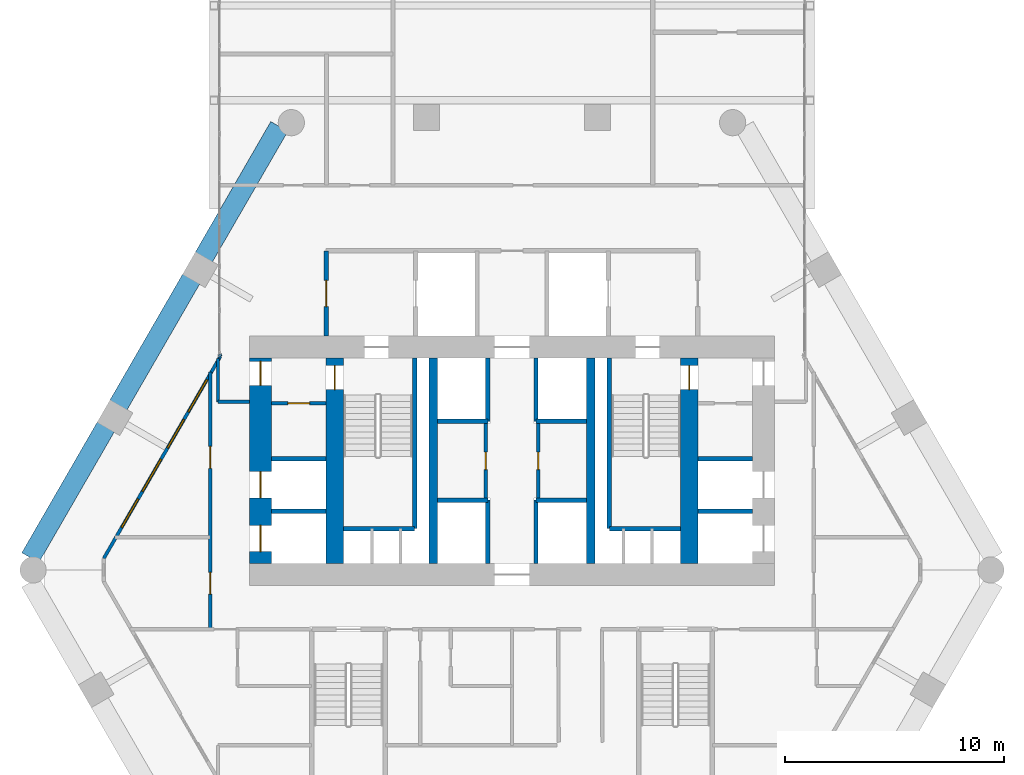
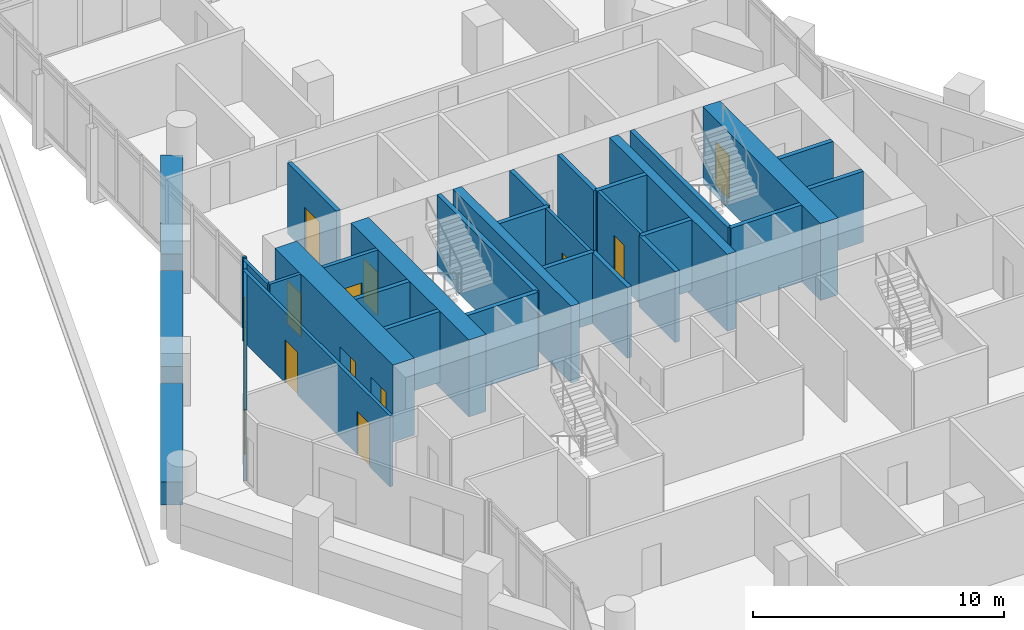
# One storey, part 32 of 37: 33 walls, 11 doors, 4 windows, 15 openings.
"""IFC4 building model written with IfcOpenShell, lengths in metres."""

from ifc_helpers import new_model, si_unit, direction, frame, frame_2d, origin, place, context, subcontext, project, spatial, rectangle, extrude, material, layer, layer_set, type_object, element, fill, save


model = new_model("IFC4")

# Units and contexts
model_context = context("Model", 3, precision=1e-05, world=origin(), true_north=direction((0.0, 1.0)))
body_context = subcontext(model_context, "Body", "Model", "MODEL_VIEW")
ifc_project = project(units=[si_unit("LENGTHUNIT", "METRE"), si_unit("AREAUNIT", "SQUARE_METRE"), si_unit("VOLUMEUNIT", "CUBIC_METRE"), si_unit("PLANEANGLEUNIT", "RADIAN"), si_unit("MASSUNIT", "GRAM", prefix="KILO")], contexts=[model_context])

# Site, building, storey
site_placement = place(None, origin())
site = spatial("IfcSite", under=ifc_project, at=site_placement, CompositionType="ELEMENT")
building_placement = place(site_placement, origin())
building = spatial("IfcBuilding", under=site, at=building_placement, Name="Ostrander Bayou Hotel Tower", CompositionType="ELEMENT")
storey_placement = place(building_placement, frame((0.0, 0.0, 131.0)))
storey = spatial("IfcBuildingStorey", under=building, at=storey_placement, Name="L32", CompositionType="ELEMENT", Elevation=131.0)

# Wall, openings, doors
ifc_material_1 = material(Name="Concrete f'c 70 MPa", Category="concrete")
ifc_layer_1 = layer(ifc_material_1, 1.0)
ifc_layer_set_1 = layer_set([ifc_layer_1], Name="CW4 core wall 1000 mm f'c 70 MPa")
wall_type_1 = type_object("IfcWallType", Name="CW4 core wall 1000 mm f'c 70 MPa", PredefinedType="SHEAR", material=ifc_layer_set_1)
wall_1_placement = place(storey_placement, frame((-11.5, -0.699951171875, -0.300048828125), z_axis=(0.0, 0.0, 1.0), x_axis=(0.0, 1.0, 0.0)))
wall_1 = element("IfcWall", 1, at=wall_1_placement, inside=storey, type_object=wall_type_1, Name="CW4 L32 RW", PredefinedType="SHEAR", context=body_context, shape_type="SweptSolid", body=[
    extrude(rectangle(XDim=9.39990234375, YDim=1.0, at=frame_2d((4.699951171875, 0.0))), origin(), (0.0, 0.0, 1.0), 3.75),
])
opening_1_placement = place(wall_1_placement, frame((8.14990234375, 0.0, 0.0)))
opening_1 = element("IfcOpeningElement", 2, at=opening_1_placement, cuts=wall_1, Name="Opening T32-017", PredefinedType="OPENING", context=body_context, shape_type="SweptSolid", body=[
    extrude(rectangle(XDim=1.10009765625, YDim=2.10009765625, at=frame_2d((0.550048828125, 1.050048828125))), frame((0.0, 0.5, 0.0), z_axis=(0.0, -1.0, 0.0), x_axis=(1.0, 0.0, 0.0)), (0.0, 0.0, 1.0), 1.0),
])
opening_2_placement = place(wall_1_placement, frame((0.550048828125, 0.0, 0.0)))
opening_2 = element("IfcOpeningElement", 3, at=opening_2_placement, cuts=wall_1, Name="Opening T32-018", PredefinedType="OPENING", context=body_context, shape_type="SweptSolid", body=[
    extrude(rectangle(XDim=1.199951171875, YDim=2.10009765625, at=frame_2d((0.60009765625, 1.050048828125))), frame((0.0, 0.5, 0.0), z_axis=(0.0, -1.0, 0.0), x_axis=(1.0, 0.0, 0.0)), (0.0, 0.0, 1.0), 1.0),
])
opening_3_placement = place(wall_1_placement, frame((3.0, 0.0, 0.0)))
opening_3 = element("IfcOpeningElement", 4, at=opening_3_placement, cuts=wall_1, Name="Opening T32-019", PredefinedType="OPENING", context=body_context, shape_type="SweptSolid", body=[
    extrude(rectangle(XDim=1.199951171875, YDim=2.10009765625, at=frame_2d((0.60009765625, 1.050048828125))), frame((0.0, 0.5, 0.0), z_axis=(0.0, -1.0, 0.0), x_axis=(1.0, 0.0, 0.0)), (0.0, 0.0, 1.0), 1.0),
])
ifc_material_2 = material(Name="Timber door leaf", Category="wood")
door_type_1 = type_object("IfcDoorType", Name="D5 stair door 1100 x 2100 mm, 90 minute", OperationType="SINGLE_SWING_LEFT", PredefinedType="DOOR", material=ifc_material_2)
door_1_placement = place(opening_1_placement, origin())
door_1 = element("IfcDoor", 5, at=door_1_placement, inside=storey, type_object=door_type_1, Name="dr:L32:017", OperationType="SINGLE_SWING_LEFT", OverallHeight=2.10009765625, OverallWidth=1.10009765625, PredefinedType="DOOR", context=body_context, shape_type="SweptSolid", body=[
    extrude(rectangle(XDim=1.10009765625, YDim=2.10009765625, at=frame_2d((0.550048828125, 1.050048828125))), frame((0.0, 0.02490234375, 0.0), z_axis=(0.0, -1.0, 0.0), x_axis=(1.0, 0.0, 0.0)), (0.0, 0.0, 1.0), 0.050048828125),
])
fill(opening_1, door_1)
ifc_material_3 = material(Name="Stainless steel sliding door", Category="steel")
door_type_2 = type_object("IfcDoorType", Name="LD1 lift landing door 1200 x 2100 mm", OperationType="SINGLE_SWING_LEFT", PredefinedType="DOOR", material=ifc_material_3)
door_2_placement = place(opening_2_placement, origin())
door_2 = element("IfcDoor", 6, at=door_2_placement, inside=storey, type_object=door_type_2, Name="dr:L32:018", OperationType="SLIDING_TO_LEFT", OverallHeight=2.10009765625, OverallWidth=1.199951171875, PredefinedType="DOOR", context=body_context, shape_type="SweptSolid", body=[
    extrude(rectangle(XDim=1.199951171875, YDim=2.10009765625, at=frame_2d((0.60009765625, 1.050048828125))), frame((0.0, 0.02490234375, 0.0), z_axis=(0.0, -1.0, 0.0), x_axis=(1.0, 0.0, 0.0)), (0.0, 0.0, 1.0), 0.050048828125),
])
fill(opening_2, door_2)
door_3_placement = place(opening_3_placement, origin())
door_3 = element("IfcDoor", 7, at=door_3_placement, inside=storey, type_object=door_type_2, Name="dr:L32:019", OperationType="SLIDING_TO_LEFT", OverallHeight=2.10009765625, OverallWidth=1.199951171875, PredefinedType="DOOR", context=body_context, shape_type="SweptSolid", body=[
    extrude(rectangle(XDim=1.199951171875, YDim=2.10009765625, at=frame_2d((0.60009765625, 1.050048828125))), frame((0.0, 0.02490234375, 0.0), z_axis=(0.0, -1.0, 0.0), x_axis=(1.0, 0.0, 0.0)), (0.0, 0.0, 1.0), 0.050048828125),
])
fill(opening_3, door_3)

# Wall, opening, door
ifc_material_4 = material(Name="Concrete f'c 70 MPa", Category="concrete")
ifc_layer_2 = layer(ifc_material_4, 0.800048828125)
ifc_layer_set_2 = layer_set([ifc_layer_2], Name="CW5 core spine wall 800 mm f'c 70 MPa")
wall_type_2 = type_object("IfcWallType", Name="CW5 core spine wall 800 mm f'c 70 MPa", PredefinedType="SHEAR", material=ifc_layer_set_2)
wall_2_placement = place(storey_placement, frame((-8.10009765625, -0.699951171875, -0.300048828125), z_axis=(0.0, 0.0, 1.0), x_axis=(0.0, 1.0, 0.0)))
wall_2 = element("IfcWall", 8, at=wall_2_placement, inside=storey, type_object=wall_type_2, Name="CW5 L32 W", PredefinedType="SHEAR", context=body_context, shape_type="SweptSolid", body=[
    extrude(rectangle(XDim=9.39990234375, YDim=0.800048828125, at=frame_2d((4.699951171875, 0.0))), origin(), (0.0, 0.0, 1.0), 3.75),
])
opening_4_placement = place(wall_2_placement, frame((7.949951171875, 0.0, 0.0)))
opening_4 = element("IfcOpeningElement", 9, at=opening_4_placement, cuts=wall_2, Name="Opening T32-004", PredefinedType="OPENING", context=body_context, shape_type="SweptSolid", body=[
    extrude(rectangle(XDim=1.10009765625, YDim=2.10009765625, at=frame_2d((0.550048828125, 1.050048828125))), frame((0.0, 0.39990234375, 0.0), z_axis=(0.0, -1.0, 0.0), x_axis=(1.0, 0.0, 0.0)), (0.0, 0.0, 1.0), 0.800048828125),
])
door_4_placement = place(opening_4_placement, origin())
door_4 = element("IfcDoor", 10, at=door_4_placement, inside=storey, type_object=door_type_1, Name="dr:L32:004", OperationType="SINGLE_SWING_RIGHT", OverallHeight=2.10009765625, OverallWidth=1.10009765625, PredefinedType="DOOR", context=body_context, shape_type="SweptSolid", body=[
    extrude(rectangle(XDim=1.10009765625, YDim=2.10009765625, at=frame_2d((0.550048828125, 1.050048828125))), frame((0.0, 0.02490234375, 0.0), z_axis=(0.0, -1.0, 0.0), x_axis=(1.0, 0.0, 0.0)), (0.0, 0.0, 1.0), 0.050048828125),
])
fill(opening_4, door_4)

wall_3_placement = place(storey_placement, frame((8.10009765625, -0.699951171875, -0.300048828125), z_axis=(0.0, 0.0, 1.0), x_axis=(0.0, 1.0, 0.0)))
wall_3 = element("IfcWall", 11, at=wall_3_placement, inside=storey, type_object=wall_type_2, Name="CW5 L32 E", PredefinedType="SHEAR", context=body_context, shape_type="SweptSolid", body=[
    extrude(rectangle(XDim=9.39990234375, YDim=0.800048828125, at=frame_2d((4.699951171875, 0.0))), origin(), (0.0, 0.0, 1.0), 3.75),
])
opening_5_placement = place(wall_3_placement, frame((7.949951171875, 0.0, 0.0)))
opening_5 = element("IfcOpeningElement", 12, at=opening_5_placement, cuts=wall_3, Name="Opening T32-006", PredefinedType="OPENING", context=body_context, shape_type="SweptSolid", body=[
    extrude(rectangle(XDim=1.10009765625, YDim=2.10009765625, at=frame_2d((0.550048828125, 1.050048828125))), frame((0.0, 0.39990234375, 0.0), z_axis=(0.0, -1.0, 0.0), x_axis=(1.0, 0.0, 0.0)), (0.0, 0.0, 1.0), 0.800048828125),
])
door_5_placement = place(opening_5_placement, origin())
door_5 = element("IfcDoor", 13, at=door_5_placement, inside=storey, type_object=door_type_1, Name="dr:L32:006", OperationType="SINGLE_SWING_LEFT", OverallHeight=2.10009765625, OverallWidth=1.10009765625, PredefinedType="DOOR", context=body_context, shape_type="SweptSolid", body=[
    extrude(rectangle(XDim=1.10009765625, YDim=2.10009765625, at=frame_2d((0.550048828125, 1.050048828125))), frame((0.0, 0.02490234375, 0.0), z_axis=(0.0, -1.0, 0.0), x_axis=(1.0, 0.0, 0.0)), (0.0, 0.0, 1.0), 0.050048828125),
])
fill(opening_5, door_5)

# Walls
ifc_material_5 = material(Name="Concrete f'c 70 MPa", Category="concrete")
ifc_layer_3 = layer(ifc_material_5, 0.39990234375)
ifc_layer_set_3 = layer_set([ifc_layer_3], Name="CW6 core bank wall 400 mm f'c 70 MPa")
wall_type_3 = type_object("IfcWallType", Name="CW6 core bank wall 400 mm f'c 70 MPa", PredefinedType="SHEAR", material=ifc_layer_set_3)
for number, where, z_axis, x_axis, name in (
    (14, (-3.60009765625, -0.699951171875, -0.300048828125), (0.0, 0.0, 1.0), (0.0, 1.0, 0.0), "CW6 L32 CW"),
    (15, (3.60009765625, -0.699951171875, -0.300048828125), (0.0, 0.0, 1.0), (0.0, 1.0, 0.0), "CW6 L32 CE"),
):
    element("IfcWall", number, at=place(storey_placement, frame(where, z_axis=z_axis, x_axis=x_axis)), inside=storey, type_object=wall_type_3, Name=name, PredefinedType="SHEAR", context=body_context, shape_type="SweptSolid", body=[
        extrude(rectangle(XDim=9.39990234375, YDim=0.39990234375, at=frame_2d((4.699951171875, 0.0))), origin(), (0.0, 0.0, 1.0), 3.75),
    ])

# Wall, openings, windows
ifc_material_6 = material(Name="Aluminium framed insulated wall", Category="aluminium")
ifc_layer_4 = layer(ifc_material_6, 0.14990234375)
ifc_layer_set_4 = layer_set([ifc_layer_4], Name="GW1 glass-line wall 150 mm")
wall_type_4 = type_object("IfcWallType", Name="GW1 glass-line wall 150 mm", PredefinedType="SOLIDWALL", material=ifc_layer_set_4)
wall_4_placement = place(storey_placement, frame((-13.333984375, 8.769287109375, 0.0), z_axis=(0.0, 0.0, 1.0), x_axis=(-0.499997430087, -0.866026887519, 0.0)))
wall_4 = element("IfcWall", 16, at=wall_4_placement, inside=storey, type_object=wall_type_4, Name="GW1 L32 NW 1", PredefinedType="SOLIDWALL", context=body_context, shape_type="SweptSolid", body=[
    extrude(rectangle(XDim=10.6572265625, YDim=0.14990234375, at=frame_2d((5.32861328125, 0.0))), origin(), (0.0, 0.0, 1.0), 3.449951171875),
])
opening_6_placement = place(wall_4_placement, frame((1.2275390625, 0.0, 0.14990234375)))
opening_6 = element("IfcOpeningElement", 17, at=opening_6_placement, cuts=wall_4, Name="Opening W8", PredefinedType="OPENING", context=body_context, shape_type="SweptSolid", body=[
    extrude(rectangle(XDim=1.699951171875, YDim=2.199951171875, at=frame_2d((0.85009765625, 1.10009765625))), frame((0.0, 0.074951171875, 0.0), z_axis=(0.0, -1.0, 0.0), x_axis=(1.0, 0.0, 0.0)), (0.0, 0.0, 1.0), 0.14990234375),
])
opening_7_placement = place(wall_4_placement, frame((3.327392578125, 0.0, 0.14990234375)))
opening_7 = element("IfcOpeningElement", 18, at=opening_7_placement, cuts=wall_4, Name="Opening W12", PredefinedType="OPENING", context=body_context, shape_type="SweptSolid", body=[
    extrude(rectangle(XDim=1.5, YDim=2.199951171875, at=frame_2d((0.75, 1.10009765625))), frame((0.0, 0.074951171875, 0.0), z_axis=(0.0, -1.0, 0.0), x_axis=(1.0, 0.0, 0.0)), (0.0, 0.0, 1.0), 0.14990234375),
])
opening_8_placement = place(wall_4_placement, frame((5.427490234375, 0.0, 0.14990234375)))
opening_8 = element("IfcOpeningElement", 19, at=opening_8_placement, cuts=wall_4, Name="Opening W8", PredefinedType="OPENING", context=body_context, shape_type="SweptSolid", body=[
    extrude(rectangle(XDim=1.699951171875, YDim=2.199951171875, at=frame_2d((0.85009765625, 1.10009765625))), frame((0.0, 0.074951171875, 0.0), z_axis=(0.0, -1.0, 0.0), x_axis=(1.0, 0.0, 0.0)), (0.0, 0.0, 1.0), 0.14990234375),
])
opening_9_placement = place(wall_4_placement, frame((7.527587890625, 0.0, 0.14990234375)))
opening_9 = element("IfcOpeningElement", 20, at=opening_9_placement, cuts=wall_4, Name="Opening W12", PredefinedType="OPENING", context=body_context, shape_type="SweptSolid", body=[
    extrude(rectangle(XDim=1.5, YDim=2.199951171875, at=frame_2d((0.75, 1.10009765625))), frame((0.0, 0.074951171875, 0.0), z_axis=(0.0, -1.0, 0.0), x_axis=(1.0, 0.0, 0.0)), (0.0, 0.0, 1.0), 0.14990234375),
])
ifc_material_7 = material(Name="Aluminium and clear glass", Category="aluminium")
window_type_1 = type_object("IfcWindowType", Name="W12 fixed window 1500 mm, bath bay, zone 2", PartitioningType="SINGLE_PANEL", PredefinedType="WINDOW", material=ifc_material_7)
window_1_placement = place(opening_7_placement, origin())
window_1 = element("IfcWindow", 21, at=window_1_placement, inside=storey, type_object=window_type_1, Name="W12 L32 NW 3", OverallHeight=2.199951171875, OverallWidth=1.5, PartitioningType="SINGLE_PANEL", PredefinedType="WINDOW", context=body_context, shape_type="SweptSolid", body=[
    extrude(rectangle(XDim=1.5, YDim=2.199951171875, at=frame_2d((0.75, 1.10009765625))), frame((0.0, 0.030029296875, 0.0), z_axis=(0.0, -1.0, 0.0), x_axis=(1.0, 0.0, 0.0)), (0.0, 0.0, 1.0), 0.06005859375),
])
fill(opening_7, window_1)
window_2_placement = place(opening_9_placement, origin())
window_2 = element("IfcWindow", 22, at=window_2_placement, inside=storey, type_object=window_type_1, Name="W12 L32 NW 4", OverallHeight=2.199951171875, OverallWidth=1.5, PartitioningType="SINGLE_PANEL", PredefinedType="WINDOW", context=body_context, shape_type="SweptSolid", body=[
    extrude(rectangle(XDim=1.5, YDim=2.199951171875, at=frame_2d((0.75, 1.10009765625))), frame((0.0, 0.030029296875, 0.0), z_axis=(0.0, -1.0, 0.0), x_axis=(1.0, 0.0, 0.0)), (0.0, 0.0, 1.0), 0.06005859375),
])
fill(opening_9, window_2)
ifc_material_8 = material(Name="Aluminium and clear glass", Category="aluminium")
window_type_2 = type_object("IfcWindowType", Name="W8 fixed window 1700 mm, bar storeys, zone 2", PartitioningType="SINGLE_PANEL", PredefinedType="WINDOW", material=ifc_material_8)
window_3_placement = place(opening_6_placement, origin())
window_3 = element("IfcWindow", 23, at=window_3_placement, inside=storey, type_object=window_type_2, Name="W8 L32 NW 3", OverallHeight=2.199951171875, OverallWidth=1.699951171875, PartitioningType="SINGLE_PANEL", PredefinedType="WINDOW", context=body_context, shape_type="SweptSolid", body=[
    extrude(rectangle(XDim=1.699951171875, YDim=2.199951171875, at=frame_2d((0.85009765625, 1.10009765625))), frame((0.0, 0.030029296875, 0.0), z_axis=(0.0, -1.0, 0.0), x_axis=(1.0, 0.0, 0.0)), (0.0, 0.0, 1.0), 0.06005859375),
])
fill(opening_6, window_3)
window_4_placement = place(opening_8_placement, origin())
window_4 = element("IfcWindow", 24, at=window_4_placement, inside=storey, type_object=window_type_2, Name="W8 L32 NW 4", OverallHeight=2.199951171875, OverallWidth=1.699951171875, PartitioningType="SINGLE_PANEL", PredefinedType="WINDOW", context=body_context, shape_type="SweptSolid", body=[
    extrude(rectangle(XDim=1.699951171875, YDim=2.199951171875, at=frame_2d((0.85009765625, 1.10009765625))), frame((0.0, 0.030029296875, 0.0), z_axis=(0.0, -1.0, 0.0), x_axis=(1.0, 0.0, 0.0)), (0.0, 0.0, 1.0), 0.06005859375),
])
fill(opening_8, window_4)

# Walls
wall_5_placement = place(storey_placement, frame((-13.333984375, 8.769287109375, 0.0), z_axis=(0.0, 0.0, 1.0), x_axis=(-0.337751931921, 0.941235163221, 0.0)))
element("IfcWall", 25, at=wall_5_placement, inside=storey, type_object=wall_type_4, Name="GW1 L32 bar joint 1", PredefinedType="SOLIDWALL", context=body_context, shape_type="SweptSolid", body=[
    extrude(rectangle(XDim=0.098388671875, YDim=0.14990234375, at=frame_2d((0.04931640625, 0.0))), origin(), (0.0, 0.0, 1.0), 3.449951171875),
])
ifc_material_9 = material(Name="Concrete f'c 40 MPa", Category="concrete")
ifc_layer_5 = layer(ifc_material_9, 0.89990234375)
ifc_layer_set_5 = layer_set([ifc_layer_5], Name="PA1 stone-faced parapet 900 mm")
wall_type_5 = type_object("IfcWallType", Name="PA1 stone-faced parapet 900 mm", PredefinedType="PARAPET", material=ifc_layer_set_5)
wall_6_placement = place(storey_placement, frame((-10.639404296875, 19.286376953125, 0.0), z_axis=(0.0, 0.0, 1.0), x_axis=(-0.499990732016, -0.866030754592, 0.0)))
element("IfcWall", 26, at=wall_6_placement, inside=storey, type_object=wall_type_5, Name="PA1 L32 NW-1", PredefinedType="PARAPET", context=body_context, shape_type="SweptSolid", body=[
    extrude(rectangle(XDim=6.906005859375, YDim=0.89990234375, at=frame_2d((3.453125, 0.0))), origin(), (0.0, 0.0, 1.0), 1.10009765625),
])
wall_7_placement = place(storey_placement, frame((-14.662353515625, 12.318359375, 0.0), z_axis=(0.0, 0.0, 1.0), x_axis=(-0.50001062018, -0.866019272134, 0.0)))
element("IfcWall", 27, at=wall_7_placement, inside=storey, type_object=wall_type_5, Name="PA1 L32 NW-2", PredefinedType="PARAPET", context=body_context, shape_type="SweptSolid", body=[
    extrude(rectangle(XDim=6.673583984375, YDim=0.89990234375, at=frame_2d((3.3369140625, 0.0))), origin(), (0.0, 0.0, 1.0), 1.10009765625),
])
wall_8_placement = place(storey_placement, frame((-18.569091796875, 5.551513671875, 0.0), z_axis=(0.0, 0.0, 1.0), x_axis=(-0.500017246033, -0.866015446554, 0.0)))
element("IfcWall", 28, at=wall_8_placement, inside=storey, type_object=wall_type_5, Name="PA1 L32 NW-3", PredefinedType="PARAPET", context=body_context, shape_type="SweptSolid", body=[
    extrude(rectangle(XDim=6.906005859375, YDim=0.89990234375, at=frame_2d((3.453125, 0.0))), origin(), (0.0, 0.0, 1.0), 1.10009765625),
])

# Wall, opening, door
ifc_material_10 = material(Name="Gypsum board partition", Category="finish")
ifc_layer_6 = layer(ifc_material_10, 0.175048828125)
ifc_layer_set_6 = layer_set([ifc_layer_6], Name="PT4 corridor wall 175 mm, 1 hour")
wall_type_6 = type_object("IfcWallType", Name="PT4 corridor wall 175 mm, 1 hour", PredefinedType="PARTITIONING", material=ifc_layer_set_6)
wall_9_placement = place(storey_placement, frame((-11.0, 6.6298828125, 0.0), z_axis=(0.0, 0.0, 1.0), x_axis=(1.0, 0.0, 0.0)))
wall_9 = element("IfcWall", 29, at=wall_9_placement, inside=storey, type_object=wall_type_6, Name="cs:L32:036", PredefinedType="PARTITIONING", context=body_context, shape_type="SweptSolid", body=[
    extrude(rectangle(XDim=2.5, YDim=0.175048828125, at=frame_2d((1.25, 0.0))), origin(), (0.0, 0.0, 1.0), 3.449951171875),
])
opening_10_placement = place(wall_9_placement, frame((0.75, 0.0, 0.0)))
opening_10 = element("IfcOpeningElement", 30, at=opening_10_placement, cuts=wall_9, Name="Opening T32-016", PredefinedType="OPENING", context=body_context, shape_type="SweptSolid", body=[
    extrude(rectangle(XDim=1.0, YDim=2.10009765625, at=frame_2d((0.5, 1.050048828125))), frame((0.0, 0.08740234375, 0.0), z_axis=(0.0, -1.0, 0.0), x_axis=(1.0, 0.0, 0.0)), (0.0, 0.0, 1.0), 0.175048828125),
])
ifc_material_11 = material(Name="Timber door leaf", Category="wood")
door_type_3 = type_object("IfcDoorType", Name="D4 corridor door 1000 x 2100 mm, 1 hour", OperationType="SINGLE_SWING_LEFT", PredefinedType="DOOR", material=ifc_material_11)
door_6_placement = place(opening_10_placement, origin())
door_6 = element("IfcDoor", 31, at=door_6_placement, inside=storey, type_object=door_type_3, Name="dr:L32:016", OperationType="SINGLE_SWING_LEFT", OverallHeight=2.10009765625, OverallWidth=1.0, PredefinedType="DOOR", context=body_context, shape_type="SweptSolid", body=[
    extrude(rectangle(XDim=1.0, YDim=2.10009765625, at=frame_2d((0.5, 1.050048828125))), frame((0.0, 0.02490234375, 0.0), z_axis=(0.0, -1.0, 0.0), x_axis=(1.0, 0.0, 0.0)), (0.0, 0.0, 1.0), 0.050048828125),
])
fill(opening_10, door_6)

ifc_material_12 = material(Name="Masonry block", Category="masonry")
ifc_layer_7 = layer(ifc_material_12, 0.199951171875)
ifc_layer_set_7 = layer_set([ifc_layer_7], Name="PT5 stair enclosure wall 200 mm masonry, 2 hour")
wall_type_7 = type_object("IfcWallType", Name="PT5 stair enclosure wall 200 mm masonry, 2 hour", PredefinedType="PARTITIONING", material=ifc_layer_set_7)
wall_10_placement = place(storey_placement, frame((-8.5, 9.699951171875, 0.0), z_axis=(0.0, 0.0, 1.0), x_axis=(0.0, 1.0, 0.0)))
wall_10 = element("IfcWall", 32, at=wall_10_placement, inside=storey, type_object=wall_type_7, Name="cs:L32:026", PredefinedType="PARTITIONING", context=body_context, shape_type="SweptSolid", body=[
    extrude(rectangle(XDim=3.900146484375, YDim=0.199951171875, at=frame_2d((1.9501953125, 0.0))), origin(), (0.0, 0.0, 1.0), 3.449951171875),
])
opening_11_placement = place(wall_10_placement, frame((1.35009765625, 0.0, 0.0)))
opening_11 = element("IfcOpeningElement", 33, at=opening_11_placement, cuts=wall_10, Name="Opening T32-010", PredefinedType="OPENING", context=body_context, shape_type="SweptSolid", body=[
    extrude(rectangle(XDim=1.199951171875, YDim=2.10009765625, at=frame_2d((0.60009765625, 1.050048828125))), frame((0.0, 0.10009765625, 0.0), z_axis=(0.0, -1.0, 0.0), x_axis=(1.0, 0.0, 0.0)), (0.0, 0.0, 1.0), 0.199951171875),
])
ifc_material_13 = material(Name="Timber door leaf", Category="wood")
door_type_4 = type_object("IfcDoorType", Name="D7 lobby door 1200 x 2100 mm, 1 hour", OperationType="SINGLE_SWING_LEFT", PredefinedType="DOOR", material=ifc_material_13)
door_7_placement = place(opening_11_placement, origin())
door_7 = element("IfcDoor", 34, at=door_7_placement, inside=storey, type_object=door_type_4, Name="dr:L32:010", OperationType="SINGLE_SWING_LEFT", OverallHeight=2.10009765625, OverallWidth=1.199951171875, PredefinedType="DOOR", context=body_context, shape_type="SweptSolid", body=[
    extrude(rectangle(XDim=1.199951171875, YDim=2.10009765625, at=frame_2d((0.60009765625, 1.050048828125))), frame((0.0, 0.02490234375, 0.0), z_axis=(0.0, -1.0, 0.0), x_axis=(1.0, 0.0, 0.0)), (0.0, 0.0, 1.0), 0.050048828125),
])
fill(opening_11, door_7)

# Walls
ifc_material_14 = material(Name="Masonry block", Category="masonry")
ifc_layer_8 = layer(ifc_material_14, 0.199951171875)
ifc_layer_set_8 = layer_set([ifc_layer_8], Name="PT6 lift shaft wall 200 mm masonry, 2 hour")
wall_type_8 = type_object("IfcWallType", Name="PT6 lift shaft wall 200 mm masonry, 2 hour", PredefinedType="PARTITIONING", material=ifc_layer_set_8)
for number, where, z_axis, x_axis, name in (
    (35, (-3.39990234375, 2.199951171875, 0.0), (0.0, 0.0, 1.0), (1.0, 0.0, 0.0), "cs:L32:001"),
    (36, (-3.39990234375, 5.800048828125, 0.0), (0.0, 0.0, 1.0), (1.0, 0.0, 0.0), "cs:L32:002"),
    (37, (1.10009765625, 2.199951171875, 0.0), (0.0, 0.0, 1.0), (1.0, 0.0, 0.0), "cs:L32:003"),
    (38, (1.10009765625, 5.800048828125, 0.0), (0.0, 0.0, 1.0), (1.0, 0.0, 0.0), "cs:L32:004"),
):
    element("IfcWall", number, at=place(storey_placement, frame(where, z_axis=z_axis, x_axis=x_axis)), inside=storey, type_object=wall_type_8, Name=name, PredefinedType="PARTITIONING", context=body_context, shape_type="SweptSolid", body=[
        extrude(rectangle(XDim=2.2998046875, YDim=0.199951171875, at=frame_2d((1.14990234375, 0.0))), origin(), (0.0, 0.0, 1.0), 3.449951171875),
    ])
for number, where, z_axis, x_axis, name in (
    (39, (-1.10009765625, -0.699951171875, 0.0), (0.0, 0.0, 1.0), (0.0, 1.0, 0.0), "cs:L32:005"),
    (40, (1.10009765625, -0.699951171875, 0.0), (0.0, 0.0, 1.0), (0.0, 1.0, 0.0), "cs:L32:006"),
    (41, (-1.10009765625, 5.800048828125, 0.0), (0.0, 0.0, 1.0), (0.0, 1.0, 0.0), "cs:L32:007"),
    (42, (1.10009765625, 5.800048828125, 0.0), (0.0, 0.0, 1.0), (0.0, 1.0, 0.0), "cs:L32:008"),
):
    element("IfcWall", number, at=place(storey_placement, frame(where, z_axis=z_axis, x_axis=x_axis)), inside=storey, type_object=wall_type_8, Name=name, PredefinedType="PARTITIONING", context=body_context, shape_type="SweptSolid", body=[
        extrude(rectangle(XDim=2.89990234375, YDim=0.199951171875, at=frame_2d((1.449951171875, 0.0))), origin(), (0.0, 0.0, 1.0), 3.449951171875),
    ])
for number, where, z_axis, x_axis, name in (
    (43, (-11.0, 1.699951171875, 0.0), (0.0, 0.0, 1.0), (1.0, 0.0, 0.0), "cs:L32:034"),
    (44, (-11.0, 4.10009765625, 0.0), (0.0, 0.0, 1.0), (1.0, 0.0, 0.0), "cs:L32:035"),
    (45, (8.5, 1.699951171875, 0.0), (0.0, 0.0, 1.0), (1.0, 0.0, 0.0), "cs:L32:037"),
    (46, (8.5, 4.10009765625, 0.0), (0.0, 0.0, 1.0), (1.0, 0.0, 0.0), "cs:L32:038"),
):
    element("IfcWall", number, at=place(storey_placement, frame(where, z_axis=z_axis, x_axis=x_axis)), inside=storey, type_object=wall_type_8, Name=name, PredefinedType="PARTITIONING", context=body_context, shape_type="SweptSolid", body=[
        extrude(rectangle(XDim=2.5, YDim=0.199951171875, at=frame_2d((1.25, 0.0))), origin(), (0.0, 0.0, 1.0), 3.449951171875),
    ])

# Wall, opening, door
ifc_material_15 = material(Name="Gypsum board partition", Category="finish")
ifc_layer_9 = layer(ifc_material_15, 0.14990234375)
ifc_layer_set_9 = layer_set([ifc_layer_9], Name="PT7 riser wall 150 mm, 2 hour")
wall_type_9 = type_object("IfcWallType", Name="PT7 riser wall 150 mm, 2 hour", PredefinedType="PARTITIONING", material=ifc_layer_set_9)
wall_11_placement = place(storey_placement, frame((-1.199951171875, 2.300048828125, 0.0), z_axis=(0.0, 0.0, 1.0), x_axis=(0.0, 1.0, 0.0)))
wall_11 = element("IfcWall", 47, at=wall_11_placement, inside=storey, type_object=wall_type_9, Name="cs:L32:032", PredefinedType="PARTITIONING", context=body_context, shape_type="SweptSolid", body=[
    extrude(rectangle(XDim=3.39990234375, YDim=0.14990234375, at=frame_2d((1.699951171875, 0.0))), origin(), (0.0, 0.0, 1.0), 3.449951171875),
])
opening_12_placement = place(wall_11_placement, frame((1.300048828125, 0.0, 0.0)))
opening_12 = element("IfcOpeningElement", 48, at=opening_12_placement, cuts=wall_11, Name="Opening T32-014", PredefinedType="OPENING", context=body_context, shape_type="SweptSolid", body=[
    extrude(rectangle(XDim=0.800048828125, YDim=2.10009765625, at=frame_2d((0.39990234375, 1.050048828125))), frame((0.0, 0.074951171875, 0.0), z_axis=(0.0, -1.0, 0.0), x_axis=(1.0, 0.0, 0.0)), (0.0, 0.0, 1.0), 0.14990234375),
])
ifc_material_16 = material(Name="Timber door leaf", Category="wood")
door_type_5 = type_object("IfcDoorType", Name="D6 riser door 800 x 2100 mm, 90 minute", OperationType="SINGLE_SWING_LEFT", PredefinedType="DOOR", material=ifc_material_16)
door_8_placement = place(opening_12_placement, origin())
door_8 = element("IfcDoor", 49, at=door_8_placement, inside=storey, type_object=door_type_5, Name="dr:L32:014", OperationType="SINGLE_SWING_LEFT", OverallHeight=2.10009765625, OverallWidth=0.800048828125, PredefinedType="DOOR", context=body_context, shape_type="SweptSolid", body=[
    extrude(rectangle(XDim=0.800048828125, YDim=2.10009765625, at=frame_2d((0.39990234375, 1.050048828125))), frame((0.0, 0.02490234375, 0.0), z_axis=(0.0, -1.0, 0.0), x_axis=(1.0, 0.0, 0.0)), (0.0, 0.0, 1.0), 0.050048828125),
])
fill(opening_12, door_8)

wall_12_placement = place(storey_placement, frame((1.199951171875, 2.300048828125, 0.0), z_axis=(0.0, 0.0, 1.0), x_axis=(0.0, 1.0, 0.0)))
wall_12 = element("IfcWall", 50, at=wall_12_placement, inside=storey, type_object=wall_type_9, Name="cs:L32:033", PredefinedType="PARTITIONING", context=body_context, shape_type="SweptSolid", body=[
    extrude(rectangle(XDim=3.39990234375, YDim=0.14990234375, at=frame_2d((1.699951171875, 0.0))), origin(), (0.0, 0.0, 1.0), 3.449951171875),
])
opening_13_placement = place(wall_12_placement, frame((1.300048828125, 0.0, 0.0)))
opening_13 = element("IfcOpeningElement", 51, at=opening_13_placement, cuts=wall_12, Name="Opening T32-015", PredefinedType="OPENING", context=body_context, shape_type="SweptSolid", body=[
    extrude(rectangle(XDim=0.800048828125, YDim=2.10009765625, at=frame_2d((0.39990234375, 1.050048828125))), frame((0.0, 0.074951171875, 0.0), z_axis=(0.0, -1.0, 0.0), x_axis=(1.0, 0.0, 0.0)), (0.0, 0.0, 1.0), 0.14990234375),
])
door_9_placement = place(opening_13_placement, origin())
door_9 = element("IfcDoor", 52, at=door_9_placement, inside=storey, type_object=door_type_5, Name="dr:L32:015", OperationType="SINGLE_SWING_RIGHT", OverallHeight=2.10009765625, OverallWidth=0.800048828125, PredefinedType="DOOR", context=body_context, shape_type="SweptSolid", body=[
    extrude(rectangle(XDim=0.800048828125, YDim=2.10009765625, at=frame_2d((0.39990234375, 1.050048828125))), frame((0.0, 0.02490234375, 0.0), z_axis=(0.0, -1.0, 0.0), x_axis=(1.0, 0.0, 0.0)), (0.0, 0.0, 1.0), 0.050048828125),
])
fill(opening_13, door_9)

# Walls
ifc_material_17 = material(Name="Gypsum board partition", Category="finish")
ifc_layer_10 = layer(ifc_material_17, 0.14990234375)
ifc_layer_set_10 = layer_set([ifc_layer_10], Name="PT8 service band wall 150 mm, 1 hour")
wall_type_10 = type_object("IfcWallType", Name="PT8 service band wall 150 mm, 1 hour", PredefinedType="PARTITIONING", material=ifc_layer_set_10)
wall_13_placement = place(storey_placement, frame((-13.43994140625, 6.695068359375, 0.0), z_axis=(0.0, 0.0, 1.0), x_axis=(1.0, 0.0, 0.0)))
element("IfcWall", 53, at=wall_13_placement, inside=storey, type_object=wall_type_10, Name="gw:L32:013", PredefinedType="PARTITIONING", context=body_context, shape_type="SweptSolid", body=[
    extrude(rectangle(XDim=1.429931640625, YDim=0.14990234375, at=frame_2d((0.71484375, 0.0))), origin(), (0.0, 0.0, 1.0), 3.449951171875),
])
wall_14_placement = place(storey_placement, frame((-13.43994140625, 6.695068359375, 0.0), z_axis=(0.0, 0.0, 1.0), x_axis=(0.0, 1.0, 0.0)))
element("IfcWall", 54, at=wall_14_placement, inside=storey, type_object=wall_type_10, Name="gw:L32:024", PredefinedType="PARTITIONING", context=body_context, shape_type="SweptSolid", body=[
    extrude(rectangle(XDim=1.98095703125, YDim=0.14990234375, at=frame_2d((0.990478515625, 0.0))), origin(), (0.0, 0.0, 1.0), 3.449951171875),
])

# Wall, openings, doors
wall_15_placement = place(storey_placement, frame((-13.800048828125, -3.699951171875, 0.0), z_axis=(0.0, 0.0, 1.0), x_axis=(0.0, 1.0, 0.0)))
wall_15 = element("IfcWall", 55, at=wall_15_placement, inside=storey, type_object=wall_type_10, Name="gw:L32:025", PredefinedType="PARTITIONING", context=body_context, shape_type="SweptSolid", body=[
    extrude(rectangle(XDim=11.751953125, YDim=0.14990234375, at=frame_2d((5.8759765625, 0.0))), origin(), (0.0, 0.0, 1.0), 3.449951171875),
])
opening_14_placement = place(wall_15_placement, frame((1.60009765625, 0.0, 0.0)))
opening_14 = element("IfcOpeningElement", 56, at=opening_14_placement, cuts=wall_15, Name="Opening T32-408", PredefinedType="OPENING", context=body_context, shape_type="SweptSolid", body=[
    extrude(rectangle(XDim=1.0, YDim=2.10009765625, at=frame_2d((0.5, 1.050048828125))), frame((0.0, 0.074951171875, 0.0), z_axis=(0.0, -1.0, 0.0), x_axis=(1.0, 0.0, 0.0)), (0.0, 0.0, 1.0), 0.14990234375),
])
opening_15_placement = place(wall_15_placement, frame((7.35302734375, 0.0, 0.0)))
opening_15 = element("IfcOpeningElement", 57, at=opening_15_placement, cuts=wall_15, Name="Opening T32-409", PredefinedType="OPENING", context=body_context, shape_type="SweptSolid", body=[
    extrude(rectangle(XDim=1.0, YDim=2.10009765625, at=frame_2d((0.5, 1.050048828125))), frame((0.0, 0.074951171875, 0.0), z_axis=(0.0, -1.0, 0.0), x_axis=(1.0, 0.0, 0.0)), (0.0, 0.0, 1.0), 0.14990234375),
])
ifc_material_18 = material(Name="Timber door leaf", Category="wood")
door_type_6 = type_object("IfcDoorType", Name="D15 room door 1000 x 2100 mm", OperationType="SINGLE_SWING_LEFT", PredefinedType="DOOR", material=ifc_material_18)
door_10_placement = place(opening_14_placement, origin())
door_10 = element("IfcDoor", 58, at=door_10_placement, inside=storey, type_object=door_type_6, Name="dr:L32:408", OperationType="SINGLE_SWING_RIGHT", OverallHeight=2.10009765625, OverallWidth=1.0, PredefinedType="DOOR", context=body_context, shape_type="SweptSolid", body=[
    extrude(rectangle(XDim=1.0, YDim=2.10009765625, at=frame_2d((0.5, 1.050048828125))), frame((0.0, 0.02490234375, 0.0), z_axis=(0.0, -1.0, 0.0), x_axis=(1.0, 0.0, 0.0)), (0.0, 0.0, 1.0), 0.050048828125),
])
fill(opening_14, door_10)
ifc_material_19 = material(Name="Timber door leaf", Category="wood")
door_type_7 = type_object("IfcDoorType", Name="D9 service door 1000 x 2100 mm, 30 minute", OperationType="SINGLE_SWING_LEFT", PredefinedType="DOOR", material=ifc_material_19)
door_11_placement = place(opening_15_placement, origin())
door_11 = element("IfcDoor", 59, at=door_11_placement, inside=storey, type_object=door_type_7, Name="dr:L32:409", OperationType="SINGLE_SWING_LEFT", OverallHeight=2.10009765625, OverallWidth=1.0, PredefinedType="DOOR", context=body_context, shape_type="SweptSolid", body=[
    extrude(rectangle(XDim=1.0, YDim=2.10009765625, at=frame_2d((0.5, 1.050048828125))), frame((0.0, 0.02490234375, 0.0), z_axis=(0.0, -1.0, 0.0), x_axis=(1.0, 0.0, 0.0)), (0.0, 0.0, 1.0), 0.050048828125),
])
fill(opening_15, door_11)

# Walls
ifc_material_20 = material(Name="Concrete f'c 45 MPa", Category="concrete")
ifc_layer_11 = layer(ifc_material_20, 0.199951171875)
ifc_layer_set_11 = layer_set([ifc_layer_11], Name="SW5 stair enclosure wall 200 mm f'c 45 MPa")
wall_type_11 = type_object("IfcWallType", Name="SW5 stair enclosure wall 200 mm f'c 45 MPa", PredefinedType="SOLIDWALL", material=ifc_layer_set_11)
wall_16_placement = place(storey_placement, frame((-4.449951171875, 0.89990234375, -0.300048828125), z_axis=(0.0, 0.0, 1.0), x_axis=(0.0, 1.0, 0.0)))
element("IfcWall", 60, at=wall_16_placement, inside=storey, type_object=wall_type_11, Name="cs:L32:009", PredefinedType="SOLIDWALL", context=body_context, shape_type="SweptSolid", body=[
    extrude(rectangle(XDim=7.800048828125, YDim=0.199951171875, at=frame_2d((3.89990234375, 0.0))), origin(), (0.0, 0.0, 1.0), 3.75),
])
wall_17_placement = place(storey_placement, frame((-7.699951171875, 0.89990234375, -0.300048828125), z_axis=(0.0, 0.0, 1.0), x_axis=(1.0, 0.0, 0.0)))
element("IfcWall", 61, at=wall_17_placement, inside=storey, type_object=wall_type_11, Name="cs:L32:010", PredefinedType="SOLIDWALL", context=body_context, shape_type="SweptSolid", body=[
    extrude(rectangle(XDim=3.25, YDim=0.199951171875, at=frame_2d((1.625, 0.0))), origin(), (0.0, 0.0, 1.0), 3.75),
])
wall_18_placement = place(storey_placement, frame((4.449951171875, 0.89990234375, -0.300048828125), z_axis=(0.0, 0.0, 1.0), x_axis=(0.0, 1.0, 0.0)))
element("IfcWall", 62, at=wall_18_placement, inside=storey, type_object=wall_type_11, Name="cs:L32:013", PredefinedType="SOLIDWALL", context=body_context, shape_type="SweptSolid", body=[
    extrude(rectangle(XDim=7.800048828125, YDim=0.199951171875, at=frame_2d((3.89990234375, 0.0))), origin(), (0.0, 0.0, 1.0), 3.75),
])
wall_19_placement = place(storey_placement, frame((4.449951171875, 0.89990234375, -0.300048828125), z_axis=(0.0, 0.0, 1.0), x_axis=(1.0, 0.0, 0.0)))
element("IfcWall", 63, at=wall_19_placement, inside=storey, type_object=wall_type_11, Name="cs:L32:014", PredefinedType="SOLIDWALL", context=body_context, shape_type="SweptSolid", body=[
    extrude(rectangle(XDim=3.25, YDim=0.199951171875, at=frame_2d((1.625, 0.0))), origin(), (0.0, 0.0, 1.0), 3.75),
])

save(model, "model.ifc")
